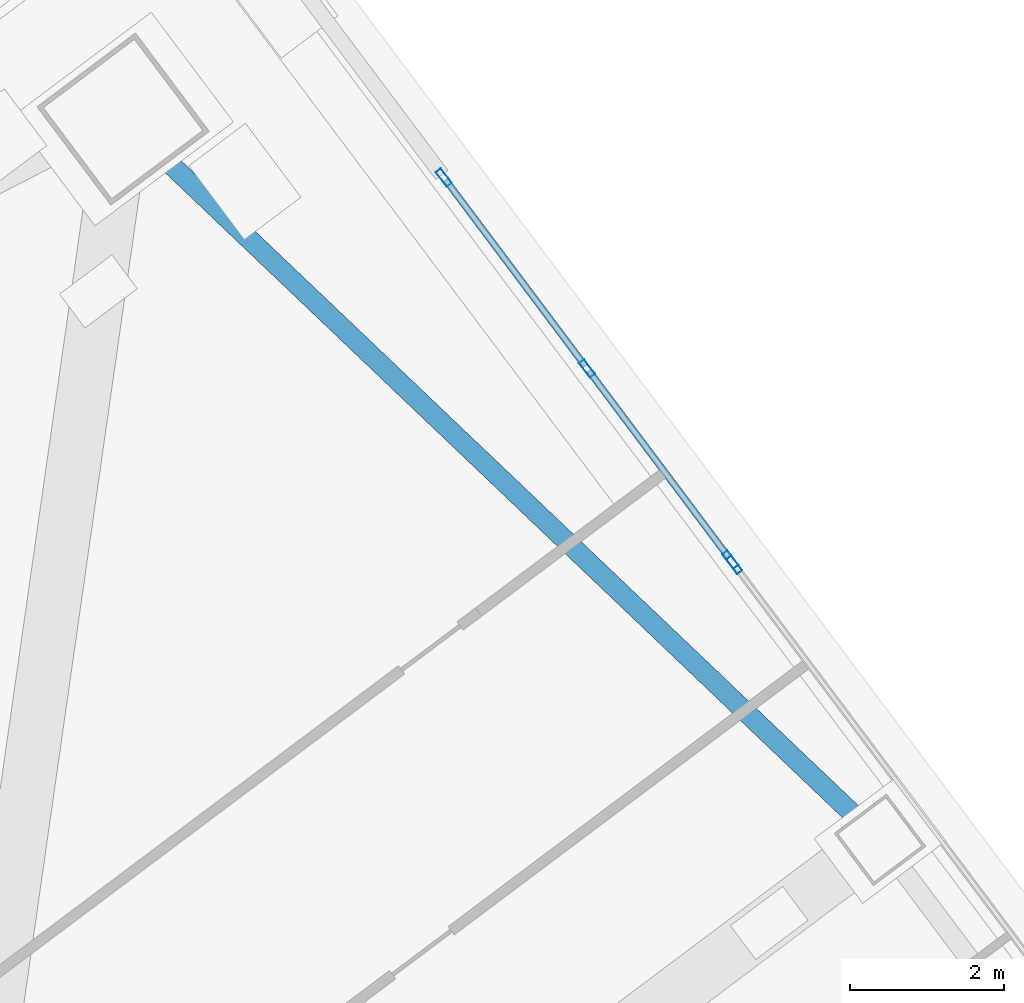
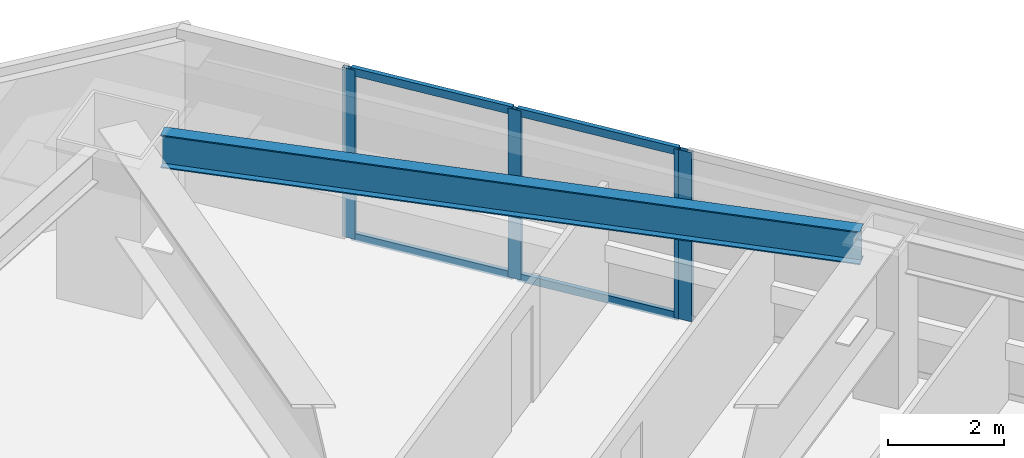
# One storey, part 35 of 48: 8 members, 1 beam, 2 elements without a shape of their own.
"""IFC4 building model written with IfcOpenShell, lengths in metres."""

from ifc_helpers import new_model, si_unit, direction, frame, origin, origin_2d, place, context, subcontext, project, spatial, hollow_rectangle, i_section, extrude, material, material_profile, profile_set, type_object, element, aggregate, save


model = new_model("IFC4")

# Units and contexts
model_context = context("Model", 3, precision=1e-05, world=origin(), true_north=direction((0.0, 1.0)))
body_context = subcontext(model_context, "Body", "Model", "MODEL_VIEW")
ifc_project = project(units=[si_unit("LENGTHUNIT", "METRE"), si_unit("AREAUNIT", "SQUARE_METRE"), si_unit("VOLUMEUNIT", "CUBIC_METRE"), si_unit("PLANEANGLEUNIT", "RADIAN"), si_unit("MASSUNIT", "GRAM", prefix="KILO")], contexts=[model_context])

# Site, building, storey
site_placement = place(None, origin())
site = spatial("IfcSite", under=ifc_project, at=site_placement, CompositionType="ELEMENT")
building_placement = place(site_placement, origin())
building = spatial("IfcBuilding", under=site, at=building_placement, Name="Tashvorn Skyway Center", CompositionType="ELEMENT")
storey_placement = place(building_placement, frame((0.0, 0.0, 63.64990234375)))
storey = spatial("IfcBuildingStorey", under=building, at=storey_placement, Name="L16", CompositionType="ELEMENT", Elevation=63.64990234375)

# Beam
ifc_material_1 = material(Name="Steel ASTM A992 Grade 50", Category="steel")
ifc_material_profile_1 = material_profile(ifc_material_1, i_section(OverallWidth=0.256103515625, OverallDepth=0.693115234375, WebThickness=0.014404296875, FlangeThickness=0.023681640625, at=origin_2d()), Name="W27X114")
ifc_profile_set_1 = profile_set([ifc_material_profile_1], Name="Steel ASTM A992 Grade 50")
beam_type = type_object("IfcBeamType", Name="BM-SPANDREL-W27X114", PredefinedType="SPANDREL", material=ifc_profile_set_1)
beam_placement = place(storey_placement, frame((127.2958984375, 49.23974609375, 3.003662109375), z_axis=(-0.724200339835, 0.689589637236, 0.0), x_axis=(-0.689589637236, -0.724200339835, 0.0)))
element("IfcBeam", 1, at=beam_placement, inside=storey, type_object=beam_type, Name="Tower 2 L16 Spandrel Beam 06", PredefinedType="SPANDREL", context=body_context, shape_type="SweptSolid", body=[
    extrude(i_section(OverallWidth=0.256103515625, OverallDepth=0.693115234375, WebThickness=0.014404296875, FlangeThickness=0.023681640625, at=origin_2d()), origin(), (0.0, 0.0, 1.0), 12.37255859375),
])

# Curtain wall, members
ifc_material_2 = material(Name="Thermally broken bronze-anodized aluminium 6063-T6", Category="aluminium")
curtain_wall_type = type_object("IfcCurtainWallType", Name="CW-CW-Z1", PredefinedType="NOTDEFINED", material=ifc_material_2)
curtain_wall_1_placement = place(storey_placement, origin())
curtain_wall_1 = element("IfcCurtainWall", 2, at=curtain_wall_1_placement, inside=storey, type_object=curtain_wall_type, Name="Tower 2 L16 East Unitised Curtain Wall Glazing Group 1", PredefinedType="NOTDEFINED")
ifc_material_profile_2 = material_profile(ifc_material_2, hollow_rectangle(XDim=0.0849609375, YDim=0.239990234375, WallThickness=0.0048828125, at=origin_2d()), Name="ALU-MULL-85x240")
ifc_profile_set_2 = profile_set([ifc_material_profile_2], Name="Thermally broken bronze-anodized aluminium 6063-T6")
member_type_1 = type_object("IfcMemberType", Name="CWM-CW-Z1", PredefinedType="MULLION", material=ifc_profile_set_2)
member_1_placement = place(storey_placement, frame((121.929443359375, 57.560791015625, 0.0), z_axis=(0.0, 0.0, 1.0), x_axis=(0.800001906763, 0.599997457641, 0.0)))
member_1 = element("IfcMember", 3, at=member_1_placement, type_object=member_type_1, Name="CW-Z1 mullion 1", PredefinedType="MULLION", context=body_context, shape_type="SweptSolid", body=[
    extrude(hollow_rectangle(XDim=0.0849609375, YDim=0.239990234375, WallThickness=0.0048828125, at=origin_2d()), origin(), (0.0, 0.0, 1.0), 3.550048828125),
])
member_2_placement = place(storey_placement, frame((123.7919921875, 55.077392578125, 0.0), z_axis=(0.0, 0.0, 1.0), x_axis=(0.800001906763, 0.599997457641, 0.0)))
member_2 = element("IfcMember", 4, at=member_2_placement, type_object=member_type_1, Name="CW-Z1 mullion 2", PredefinedType="MULLION", context=body_context, shape_type="SweptSolid", body=[
    extrude(hollow_rectangle(XDim=0.0849609375, YDim=0.239990234375, WallThickness=0.0048828125, at=origin_2d()), origin(), (0.0, 0.0, 1.0), 3.550048828125),
])
member_3_placement = place(storey_placement, frame((125.654541015625, 52.593994140625, 0.0), z_axis=(0.0, 0.0, 1.0), x_axis=(0.800001906763, 0.599997457641, 0.0)))
member_3 = element("IfcMember", 5, at=member_3_placement, type_object=member_type_1, Name="CW-Z1 mullion 3", PredefinedType="MULLION", context=body_context, shape_type="SweptSolid", body=[
    extrude(hollow_rectangle(XDim=0.0849609375, YDim=0.239990234375, WallThickness=0.0048828125, at=origin_2d()), origin(), (0.0, 0.0, 1.0), 3.550048828125),
])

# Curtain wall, member
curtain_wall_2_placement = place(storey_placement, origin())
curtain_wall_2 = element("IfcCurtainWall", 6, at=curtain_wall_2_placement, inside=storey, type_object=curtain_wall_type, Name="Tower 2 L16 East Unitised Curtain Wall Glazing Group 2", PredefinedType="NOTDEFINED")
member_4_placement = place(storey_placement, frame((125.70556640625, 52.52587890625, 0.0), z_axis=(0.0, 0.0, 1.0), x_axis=(0.799999999998, 0.600000000002, 0.0)))
member_4 = element("IfcMember", 7, at=member_4_placement, type_object=member_type_1, Name="CW-Z1 mullion 1", PredefinedType="MULLION", context=body_context, shape_type="SweptSolid", body=[
    extrude(hollow_rectangle(XDim=0.0849609375, YDim=0.239990234375, WallThickness=0.0048828125, at=origin_2d()), origin(), (0.0, 0.0, 1.0), 3.550048828125),
])
aggregate(curtain_wall_2, [member_4])

# Member
ifc_material_profile_3 = material_profile(ifc_material_2, hollow_rectangle(XDim=0.0849609375, YDim=0.1650390625, WallThickness=0.0048828125, at=origin_2d()), Name="ALU-TRAN-85x165")
ifc_profile_set_3 = profile_set([ifc_material_profile_3], Name="Thermally broken bronze-anodized aluminium 6063-T6")
member_type_2 = type_object("IfcMemberType", Name="CWT-CW-Z1", PredefinedType="USERDEFINED", material=ifc_profile_set_3)
member_5_placement = place(storey_placement, frame((121.955078125, 57.526611328125, 0.04248046875), z_axis=(0.600012938206, -0.799990296182, 0.0), x_axis=(0.799990296182, 0.600012938206, 0.0)))
member_5 = element("IfcMember", 8, at=member_5_placement, type_object=member_type_2, Name="CW-Z1 transom 1.1", ObjectType="TRANSOM", PredefinedType="USERDEFINED", context=body_context, shape_type="SweptSolid", body=[
    extrude(hollow_rectangle(XDim=0.0849609375, YDim=0.1650390625, WallThickness=0.0048828125, at=origin_2d()), origin(), (0.0, 0.0, 1.0), 3.01904296875),
])

member_6_placement = place(storey_placement, frame((121.955078125, 57.526611328125, 3.507568359375), z_axis=(0.600012938206, -0.799990296182, 0.0), x_axis=(0.799990296182, 0.600012938206, 0.0)))
member_6 = element("IfcMember", 9, at=member_6_placement, type_object=member_type_2, Name="CW-Z1 transom 1.2", ObjectType="TRANSOM", PredefinedType="USERDEFINED", context=body_context, shape_type="SweptSolid", body=[
    extrude(hollow_rectangle(XDim=0.0849609375, YDim=0.1650390625, WallThickness=0.0048828125, at=origin_2d()), origin(), (0.0, 0.0, 1.0), 3.01904296875),
])

member_7_placement = place(storey_placement, frame((123.8173828125, 55.04345703125, 0.04248046875), z_axis=(0.599974124791, -0.800019405753, 0.0), x_axis=(0.800019405753, 0.599974124791, 0.0)))
member_7 = element("IfcMember", 10, at=member_7_placement, type_object=member_type_2, Name="CW-Z1 transom 2.1", ObjectType="TRANSOM", PredefinedType="USERDEFINED", context=body_context, shape_type="SweptSolid", body=[
    extrude(hollow_rectangle(XDim=0.0849609375, YDim=0.1650390625, WallThickness=0.0048828125, at=origin_2d()), origin(), (0.0, 0.0, 1.0), 3.019287109375),
])

member_8_placement = place(storey_placement, frame((123.8173828125, 55.04345703125, 3.507568359375), z_axis=(0.599974124791, -0.800019405753, 0.0), x_axis=(0.800019405753, 0.599974124791, 0.0)))
member_8 = element("IfcMember", 11, at=member_8_placement, type_object=member_type_2, Name="CW-Z1 transom 2.2", ObjectType="TRANSOM", PredefinedType="USERDEFINED", context=body_context, shape_type="SweptSolid", body=[
    extrude(hollow_rectangle(XDim=0.0849609375, YDim=0.1650390625, WallThickness=0.0048828125, at=origin_2d()), origin(), (0.0, 0.0, 1.0), 3.019287109375),
])

aggregate(curtain_wall_1, [member_1, member_2, member_3, member_5, member_6, member_7, member_8])

save(model, "model.ifc")
